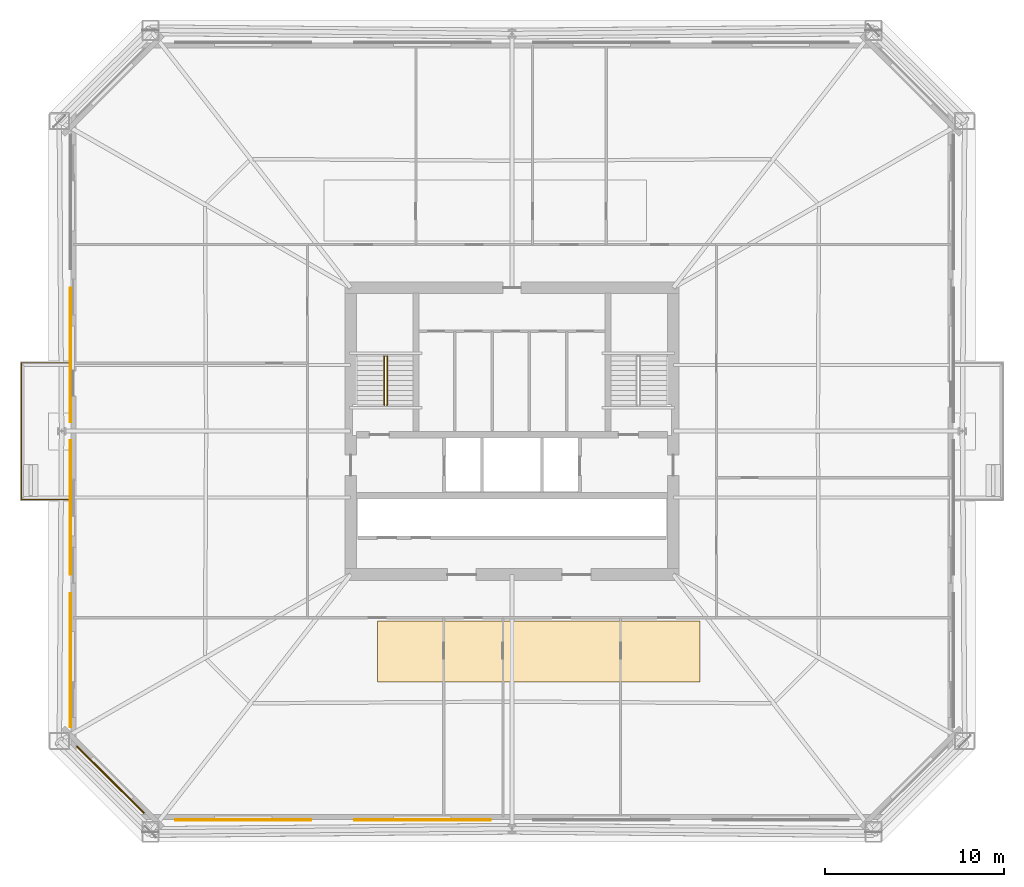
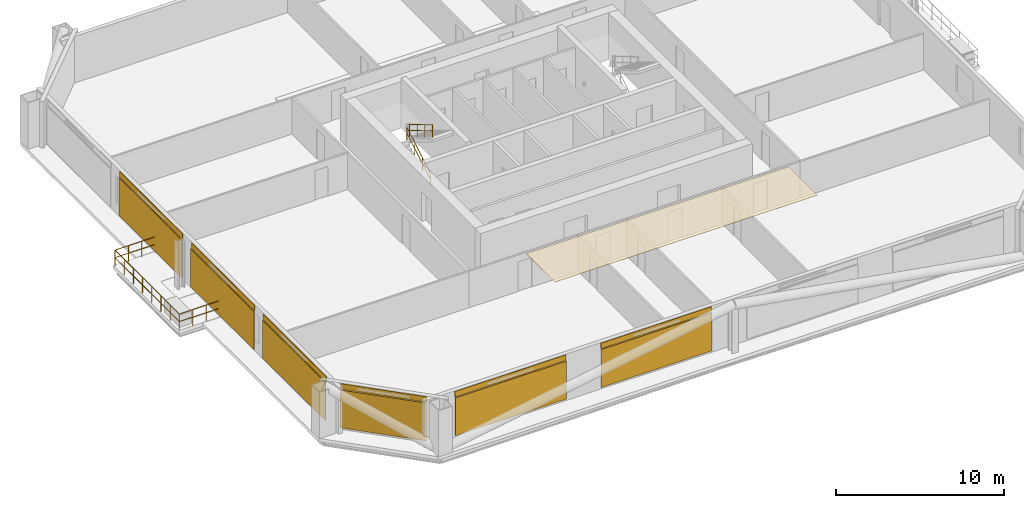
# One storey, part 8 of 10: 7 coverings, 6 shading devices, 3 railings.
"""IFC4 building model written with IfcOpenShell, lengths in metres."""

import ifcopenshell
import ifcopenshell.guid

model = None  # the IFC model being written
_history = None  # IfcOwnerHistory: only IFC2X3 demands one
_inside = {}  # id of a spatial element -> (the spatial element, [elements in it])
_under = {}  # id of a project, library or spatial element -> (it, [spatial elements below it])
_declared = {}  # id of a project -> (the project, [libraries it declares])
_typed = {}  # id of a type object -> (the type object, [elements of that type])
_made_of = {}  # id of a material, layer set ... -> (it, [elements and type objects made of it])


def new_model(schema):
    """Start an empty IFC model of exactly this schema.

    Asked for "IFC4X3", IfcOpenShell would pick the latest addendum, in which some entities
    have other attributes; the version numbers below select the first issue.
    IFC2X3 requires an IfcOwnerHistory on every rooted entity: one is made here for all.
    """
    global model, _history
    if schema == "IFC4X3":
        model = ifcopenshell.file(schema_version=(4, 3, 0, 0))
    else:
        model = ifcopenshell.file(schema=schema)
    _inside.clear()
    _under.clear()
    _declared.clear()
    _typed.clear()
    _made_of.clear()
    _history = None
    if model.schema == "IFC2X3":
        org = make("IfcOrganization", Name="unknown")
        user = make(
            "IfcPersonAndOrganization",
            ThePerson=make("IfcPerson", FamilyName="unknown"),
            TheOrganization=org,
        )
        app = make(
            "IfcApplication",
            ApplicationDeveloper=org,
            Version="unknown",
            ApplicationFullName="unknown",
            ApplicationIdentifier="unknown",
        )
        _history = make(
            "IfcOwnerHistory",
            OwningUser=user,
            OwningApplication=app,
            ChangeAction="ADDED",
            CreationDate=0,
        )
    return model


def make(cls, **values):
    """One entity of the class cls with the attributes given. An attribute that is None is left unset."""
    return model.create_entity(
        cls, **{name: value for name, value in values.items() if value is not None}
    )


def rooted(cls, **values):
    """An entity with a GlobalId (a new one), such as an element, a storey or a relation."""
    return make(cls, GlobalId=ifcopenshell.guid.new(), OwnerHistory=_history, **values)


def si_unit(unit_type, name, prefix=None):
    """IfcSIUnit, for example si_unit("LENGTHUNIT", "METRE", prefix="MILLI")."""
    return make("IfcSIUnit", UnitType=unit_type, Prefix=prefix, Name=name)


def assignment(units):
    """IfcUnitAssignment: the units of a project."""
    return None if units is None else make("IfcUnitAssignment", Units=units)


def point(xyz):
    """IfcCartesianPoint."""
    return None if xyz is None else make("IfcCartesianPoint", Coordinates=xyz)


def direction(xyz):
    """IfcDirection."""
    return None if xyz is None else make("IfcDirection", DirectionRatios=xyz)


def frame(location, z_axis=None, x_axis=None):
    """IfcAxis2Placement3D, a coordinate frame: its origin and axes. An axis left out is left unset."""
    return make(
        "IfcAxis2Placement3D",
        Location=point(location),
        Axis=direction(z_axis),
        RefDirection=direction(x_axis),
    )


def frame_2d(location, x_axis=None):
    """IfcAxis2Placement2D, a coordinate frame in the plane: its origin and x axis."""
    return make(
        "IfcAxis2Placement2D", Location=point(location), RefDirection=direction(x_axis)
    )


def origin():
    """The frame at (0, 0, 0) with its axes left unset."""
    return frame((0.0, 0.0, 0.0))


def origin_2d():
    """The frame at (0, 0) in the plane with its x axis left unset."""
    return frame_2d((0.0, 0.0))


def place(relative_to, where):
    """IfcLocalPlacement: puts the frame where relative to a parent placement (None: the world)."""
    return make(
        "IfcLocalPlacement", PlacementRelTo=relative_to, RelativePlacement=where
    )


def context(
    kind, dimensions, precision=None, world=None, true_north=None, identifier=None
):
    """IfcGeometricRepresentationContext, for example the 3D "Model" context."""
    return make(
        "IfcGeometricRepresentationContext",
        ContextIdentifier=identifier,
        ContextType=kind,
        CoordinateSpaceDimension=dimensions,
        Precision=precision,
        WorldCoordinateSystem=world,
        TrueNorth=true_north,
    )


def subcontext(parent, identifier, kind, view, scale=None):
    """IfcGeometricRepresentationSubContext, for example "Body" below "Model"."""
    return make(
        "IfcGeometricRepresentationSubContext",
        ContextIdentifier=identifier,
        ContextType=kind,
        ParentContext=parent,
        TargetScale=scale,
        TargetView=view,
    )


def project(units=None, contexts=None):
    """IfcProject with its units and contexts."""
    return rooted(
        "IfcProject",
        Name="project",
        RepresentationContexts=contexts,
        UnitsInContext=assignment(units),
    )


def spatial(cls, under=None, at=None, **own):
    """A site, building, storey or space (cls), placed at a placement, below another one or the project."""
    s = rooted(cls, ObjectPlacement=at, **own)
    if under is not None:
        _under.setdefault(under.id(), (under, []))[1].append(s)
    return s


def polyline(points):
    """IfcPolyline through the points."""
    return make("IfcPolyline", Points=[point(p) for p in points])


def profile(cls, at=None, kind="AREA", **sizes):
    """A parametric profile (cls). Its sizes go by their IFC names, for example OverallWidth=200.0."""
    return make(cls, ProfileType=kind, Position=at, **sizes)


def rectangle(**sizes):
    """IfcRectangleProfileDef."""
    return profile("IfcRectangleProfileDef", **sizes)


def circle(**sizes):
    """IfcCircleProfileDef."""
    return profile("IfcCircleProfileDef", **sizes)


def outline(outer, holes=None, kind="AREA"):
    """IfcArbitraryClosedProfileDef: a profile drawn as a closed curve; with holes, ...WithVoids."""
    if holes is None:
        return make("IfcArbitraryClosedProfileDef", ProfileType=kind, OuterCurve=outer)
    return make(
        "IfcArbitraryProfileDefWithVoids",
        ProfileType=kind,
        OuterCurve=outer,
        InnerCurves=holes,
    )


def extrude(swept, where, along, depth):
    """IfcExtrudedAreaSolid: the profile swept, set in the frame where, extruded along a direction by depth."""
    return make(
        "IfcExtrudedAreaSolid",
        SweptArea=swept,
        Position=where,
        ExtrudedDirection=direction(along),
        Depth=depth,
    )


def shape(context_of_items, identifier, shape_type, items):
    """IfcShapeRepresentation: the items that make up one representation, for example the "Body"."""
    return make(
        "IfcShapeRepresentation",
        ContextOfItems=context_of_items,
        RepresentationIdentifier=identifier,
        RepresentationType=shape_type,
        Items=items,
    )


def material(Name=None, Category=None):
    """IfcMaterial."""
    return make("IfcMaterial", Name=Name, Category=Category)


def layer(
    of_material, thickness, ventilated=None, Name=None, Category=None, Priority=None
):
    """IfcMaterialLayer: one layer of a wall or slab, of a material (None: an air gap)."""
    return make(
        "IfcMaterialLayer",
        Material=of_material,
        LayerThickness=thickness,
        IsVentilated=ventilated,
        Name=Name,
        Category=Category,
        Priority=Priority,
    )


def layer_set(layers, Name=None):
    """IfcMaterialLayerSet."""
    return make("IfcMaterialLayerSet", MaterialLayers=layers, LayerSetName=Name)


def made_of(thing, what):
    """Note that an element or type object is made of a material, layer set ...; save() writes the relation."""
    if what is not None:
        _made_of.setdefault(what.id(), (what, []))[1].append(thing)
    return thing


def type_object(cls, material=None, **own):
    """A type object (cls), such as IfcWallType, which elements share."""
    return made_of(rooted(cls, **own), material)


def element(
    cls,
    number,
    at=None,
    inside=None,
    cuts=None,
    type_object=None,
    material=None,
    context=None,
    identifier="Body",
    shape_type=None,
    held_by="IfcProductDefinitionShape",
    body=None,
    shapes=None,
    **own,
):
    """One element of the class cls, such as IfcWall. Its Tag is "e" and its number.

    at: its placement. inside: the storey or other place that contains it. cuts: it is an
    opening in that element (IfcRelVoidsElement). A single representation is given by context,
    identifier, shape_type and body (its items); several are given by shapes. held_by: the class
    of the entity that holds the representations. save() writes the other relations.
    """
    e = rooted(cls, Tag="e%d" % number, ObjectPlacement=at, **own)
    if body is not None:
        shapes = [shape(context, identifier, shape_type, body)]
    if shapes is not None:
        e.Representation = make(held_by, Representations=shapes)
    if inside is not None:
        _inside.setdefault(inside.id(), (inside, []))[1].append(e)
    if cuts is not None:
        rooted(
            "IfcRelVoidsElement", RelatingBuildingElement=cuts, RelatedOpeningElement=e
        )
    if type_object is not None:
        _typed.setdefault(type_object.id(), (type_object, []))[1].append(e)
    return made_of(e, material)


def aggregate(whole, parts):
    """IfcRelAggregates: a whole, such as a stair, and the parts it consists of."""
    return rooted("IfcRelAggregates", RelatingObject=whole, RelatedObjects=parts)


def save(model, path):
    """Write the relations noted so far, then the file.

    IfcRelAggregates (storeys below a building ...), IfcRelContainedInSpatialStructure (elements
    in a storey), IfcRelDefinesByType, IfcRelAssociatesMaterial and IfcRelDeclares: one each for
    every whole, place, type object, material and project.
    """
    for whole, parts in _under.values():
        aggregate(whole, parts)
    for where, things in _inside.values():
        rooted(
            "IfcRelContainedInSpatialStructure",
            RelatedElements=things,
            RelatingStructure=where,
        )
    for kind, things in _typed.values():
        rooted("IfcRelDefinesByType", RelatedObjects=things, RelatingType=kind)
    for what, things in _made_of.values():
        rooted("IfcRelAssociatesMaterial", RelatedObjects=things, RelatingMaterial=what)
    for by, libraries in _declared.values():
        rooted("IfcRelDeclares", RelatingContext=by, RelatedDefinitions=libraries)
    model.write(path)


model = new_model("IFC4")

# Units and contexts
model_context = context("Model", 3, precision=1e-05, world=origin(), true_north=direction((0.0, 1.0)))
body_context = subcontext(model_context, "Body", "Model", "MODEL_VIEW")
ifc_project = project(units=[si_unit("LENGTHUNIT", "METRE"), si_unit("AREAUNIT", "SQUARE_METRE"), si_unit("VOLUMEUNIT", "CUBIC_METRE"), si_unit("PLANEANGLEUNIT", "RADIAN"), si_unit("MASSUNIT", "GRAM", prefix="KILO")], contexts=[model_context])

# Site, building, storey
site_placement = place(None, origin())
site = spatial("IfcSite", under=ifc_project, at=site_placement, CompositionType="ELEMENT")
building_placement = place(site_placement, origin())
building = spatial("IfcBuilding", under=site, at=building_placement, Name="Caelvoria Tower", CompositionType="ELEMENT")
storey_placement = place(building_placement, frame((0.0, 0.0, 60.39990234375)))
storey = spatial("IfcBuildingStorey", under=building, at=storey_placement, Name="L15", CompositionType="ELEMENT", Elevation=60.39990234375)

# Railing
ifc_material_1 = material(Name="Bronze Anodised Aluminium and Stainless Steel", Category="steel")
railing_type_1 = type_object("IfcRailingType", Name="Exterior Terrace and Balcony Guardrail 1150", PredefinedType="GUARDRAIL", material=ifc_material_1)
railing_1_placement = place(storey_placement, frame((21.389892578125, 28.179931640625, 0.0)))
element("IfcRailing", 1, at=railing_1_placement, inside=storey, type_object=railing_type_1, Name="Tree Balcony Guardrail TB-L15-W", PredefinedType="GUARDRAIL", context=body_context, shape_type="SweptSolid", body=[
    extrude(circle(Radius=0.02392578125, at=origin_2d()), frame((0.0, 0.0, 1.1259765625), z_axis=(-1.0, 0.0, 0.0), x_axis=(0.0, -1.0, 0.0)), (0.0, 0.0, 1.0), 2.760009765625),
    extrude(circle(Radius=0.02392578125, at=origin_2d()), frame((0.0, 0.0, 0.574951171875), z_axis=(-1.0, 0.0, 0.0), x_axis=(0.0, -1.0, 0.0)), (0.0, 0.0, 1.0), 2.760009765625),
    extrude(circle(Radius=0.02392578125, at=origin_2d()), frame((-2.760009765625, 0.0, 1.1259765625), z_axis=(0.0, 1.0, 0.0), x_axis=(-1.0, 0.0, 0.0)), (0.0, 0.0, 1.0), 7.64013671875),
    extrude(circle(Radius=0.02392578125, at=origin_2d()), frame((-2.760009765625, 0.0, 0.574951171875), z_axis=(0.0, 1.0, 0.0), x_axis=(-1.0, 0.0, 0.0)), (0.0, 0.0, 1.0), 7.64013671875),
    extrude(circle(Radius=0.02392578125, at=origin_2d()), frame((-2.760009765625, 7.64013671875, 1.1259765625), z_axis=(1.0, 0.0, 0.0), x_axis=(0.0, 1.0, 0.0)), (0.0, 0.0, 1.0), 2.760009765625),
    extrude(circle(Radius=0.02392578125, at=origin_2d()), frame((-2.760009765625, 7.64013671875, 0.574951171875), z_axis=(1.0, 0.0, 0.0), x_axis=(0.0, 1.0, 0.0)), (0.0, 0.0, 1.0), 2.760009765625),
    extrude(circle(Radius=0.02099609375, at=origin_2d()), origin(), (0.0, 0.0, 1.0), 1.101806640625),
    extrude(circle(Radius=0.02099609375, at=origin_2d()), frame((-0.919921875, 0.0, 0.0)), (0.0, 0.0, 1.0), 1.101806640625),
    extrude(circle(Radius=0.02099609375, at=origin_2d()), frame((-1.840087890625, 0.0, 0.0)), (0.0, 0.0, 1.0), 1.101806640625),
    extrude(circle(Radius=0.02099609375, at=origin_2d()), frame((-2.760009765625, 0.0, 0.0)), (0.0, 0.0, 1.0), 1.101806640625),
    extrude(circle(Radius=0.02099609375, at=origin_2d()), frame((-2.760009765625, 1.091552734375, 0.0)), (0.0, 0.0, 1.0), 1.101806640625),
    extrude(circle(Radius=0.02099609375, at=origin_2d()), frame((-2.760009765625, 2.182861328125, 0.0)), (0.0, 0.0, 1.0), 1.101806640625),
    extrude(circle(Radius=0.02099609375, at=origin_2d()), frame((-2.760009765625, 3.2744140625, 0.0)), (0.0, 0.0, 1.0), 1.101806640625),
    extrude(circle(Radius=0.02099609375, at=origin_2d()), frame((-2.760009765625, 4.36572265625, 0.0)), (0.0, 0.0, 1.0), 1.101806640625),
    extrude(circle(Radius=0.02099609375, at=origin_2d()), frame((-2.760009765625, 5.457275390625, 0.0)), (0.0, 0.0, 1.0), 1.101806640625),
    extrude(circle(Radius=0.02099609375, at=origin_2d()), frame((-2.760009765625, 6.548583984375, 0.0)), (0.0, 0.0, 1.0), 1.101806640625),
    extrude(circle(Radius=0.02099609375, at=origin_2d()), frame((-2.760009765625, 7.64013671875, 0.0)), (0.0, 0.0, 1.0), 1.101806640625),
    extrude(circle(Radius=0.02099609375, at=origin_2d()), frame((-1.840087890625, 7.64013671875, 0.0)), (0.0, 0.0, 1.0), 1.101806640625),
    extrude(circle(Radius=0.02099609375, at=origin_2d()), frame((-0.919921875, 7.64013671875, 0.0)), (0.0, 0.0, 1.0), 1.101806640625),
    extrude(circle(Radius=0.02099609375, at=origin_2d()), frame((0.0, 7.64013671875, 0.0)), (0.0, 0.0, 1.0), 1.101806640625),
])

# Coverings
ifc_material_2 = material(Name="Acoustic Mineral Fibre Tile", Category="gypsum")
ifc_layer_1 = layer(ifc_material_2, 0.02490234375, Name="Acoustic Mineral Fibre Tile")
ifc_layer_set_1 = layer_set([ifc_layer_1], Name="Mineral-Fibre Acoustic Suspended Ceiling 25 - Acoustic Mineral Fibre Tile")
covering_type_1 = type_object("IfcCoveringType", Name="Mineral-Fibre Acoustic Suspended Ceiling 25", PredefinedType="CEILING", material=ifc_layer_set_1)
covering_1_placement = place(storey_placement, frame((0.0, 0.0, 2.635009765625)))
element("IfcCovering", 2, at=covering_1_placement, inside=storey, type_object=covering_type_1, Name="Suspended Acoustic Ceiling L15", PredefinedType="CEILING", context=body_context, shape_type="SweptSolid", body=[
    extrude(outline(polyline([(38.5, 18.0), (56.5, 18.0), (56.5, 21.39990234375), (38.5, 21.39990234375), (38.5, 18.0)])), origin(), (0.0, 0.0, 1.0), 0.025146484375),
])
ifc_material_3 = material(Name="Perforated Architectural Bronze Cladding Screen", Category="bronze")
ifc_layer_2 = layer(ifc_material_3, 0.0400390625, Name="Perforated Architectural Bronze Cladding Screen")
ifc_layer_set_2 = layer_set([ifc_layer_2], Name="Perforated Bronze Louvre Cladding Band 40 - Perforated Architectural Bronze Cladding Screen")
covering_type_2 = type_object("IfcCoveringType", Name="Perforated Bronze Louvre Cladding Band 40", PredefinedType="CLADDING", material=ifc_layer_set_2)
for number, where, z_axis, x_axis, name in (
    (3, (31.007568359375, 10.327880859375, 2.940185546875), (0.0, 0.0, 1.0), (1.0, 0.0, 0.0), "Perforated Bronze Screen Band L15-E0-00"),
    (4, (41.00244140625, 10.327880859375, 2.940185546875), (0.0, 0.0, 1.0), (1.0, 0.0, 0.0), "Perforated Bronze Screen Band L15-E0-01"),
):
    element("IfcCovering", number, at=place(storey_placement, frame(where, z_axis=z_axis, x_axis=x_axis)), inside=storey, type_object=covering_type_2, Name=name, PredefinedType="CLADDING", context=body_context, shape_type="SweptSolid", body=[
        extrude(rectangle(XDim=7.60009765625, YDim=0.0400390625, at=origin_2d()), origin(), (0.0, 0.0, 1.0), 0.39990234375),
    ])
for number, where, z_axis, x_axis, name in (
    (5, (21.3779296875, 36.260009765625, 2.940185546875), (0.0, 0.0, 1.0), (0.0, -1.0, 0.0), "Perforated Bronze Screen Band L15-E6-01"),
    (6, (21.3779296875, 27.739990234375, 2.940185546875), (0.0, 0.0, 1.0), (0.0, -1.0, 0.0), "Perforated Bronze Screen Band L15-E6-02"),
    (7, (21.3779296875, 19.219970703125, 2.940185546875), (0.0, 0.0, 1.0), (0.0, -1.0, 0.0), "Perforated Bronze Screen Band L15-E6-03"),
):
    element("IfcCovering", number, at=place(storey_placement, frame(where, z_axis=z_axis, x_axis=x_axis)), inside=storey, type_object=covering_type_2, Name=name, PredefinedType="CLADDING", context=body_context, shape_type="SweptSolid", body=[
        extrude(rectangle(XDim=7.49755859375, YDim=0.0400390625, at=origin_2d()), origin(), (0.0, 0.0, 1.0), 0.39990234375),
    ])
covering_2_placement = place(storey_placement, frame((23.618408203125, 12.568359375, 2.940185546875), z_axis=(0.0, 0.0, 1.0), x_axis=(0.707106781187, -0.707106781187, 0.0)))
element("IfcCovering", 8, at=covering_2_placement, inside=storey, type_object=covering_type_2, Name="Perforated Bronze Screen Band L15-E7-00", PredefinedType="CLADDING", context=body_context, shape_type="SweptSolid", body=[
    extrude(rectangle(XDim=5.309814453125, YDim=0.0400390625, at=origin_2d()), origin(), (0.0, 0.0, 1.0), 0.39990234375),
])

# Shading devices
ifc_material_4 = material(Name="Perforated Architectural Bronze Alloy Panel", Category="bronze")
ifc_layer_3 = layer(ifc_material_4, 0.044921875, Name="Perforated Architectural Bronze Alloy Panel")
ifc_layer_set_3 = layer_set([ifc_layer_3], Name="Perforated Bronze Solar Screen Panel SCREEN - Perforated Architectural Bronze Alloy Panel")
shading_device_type = type_object("IfcShadingDeviceType", Name="Perforated Bronze Solar Screen Panel SCREEN", PredefinedType="USERDEFINED", material=ifc_layer_set_3)
for number, where, z_axis, x_axis, name in (
    (9, (31.007568359375, 10.284912109375, 0.16015625), (0.0, 0.0, 1.0), (1.0, 0.0, 0.0), "Perforated Bronze Solar Screen L15-E0-00"),
    (10, (41.00244140625, 10.284912109375, 0.16015625), (0.0, 0.0, 1.0), (1.0, 0.0, 0.0), "Perforated Bronze Solar Screen L15-E0-01"),
):
    element("IfcShadingDevice", number, at=place(storey_placement, frame(where, z_axis=z_axis, x_axis=x_axis)), inside=storey, type_object=shading_device_type, Name=name, ObjectType="SCREEN", PredefinedType="USERDEFINED", context=body_context, shape_type="SweptSolid", body=[
        extrude(rectangle(XDim=7.60009765625, YDim=0.044921875, at=origin_2d()), origin(), (0.0, 0.0, 1.0), 2.75),
    ])
for number, where, z_axis, x_axis, name in (
    (11, (21.3349609375, 36.260009765625, 0.16015625), (0.0, 0.0, 1.0), (0.0, -1.0, 0.0), "Perforated Bronze Solar Screen L15-E6-01"),
    (12, (21.3349609375, 27.739990234375, 0.16015625), (0.0, 0.0, 1.0), (0.0, -1.0, 0.0), "Perforated Bronze Solar Screen L15-E6-02"),
    (13, (21.3349609375, 19.219970703125, 0.16015625), (0.0, 0.0, 1.0), (0.0, -1.0, 0.0), "Perforated Bronze Solar Screen L15-E6-03"),
):
    element("IfcShadingDevice", number, at=place(storey_placement, frame(where, z_axis=z_axis, x_axis=x_axis)), inside=storey, type_object=shading_device_type, Name=name, ObjectType="SCREEN", PredefinedType="USERDEFINED", context=body_context, shape_type="SweptSolid", body=[
        extrude(rectangle(XDim=7.49755859375, YDim=0.044921875, at=origin_2d()), origin(), (0.0, 0.0, 1.0), 2.75),
    ])
shading_device_placement = place(storey_placement, frame((23.587890625, 12.537841796875, 0.16015625), z_axis=(0.0, 0.0, 1.0), x_axis=(0.707106781187, -0.707106781187, 0.0)))
element("IfcShadingDevice", 14, at=shading_device_placement, inside=storey, type_object=shading_device_type, Name="Perforated Bronze Solar Screen L15-E7-00", ObjectType="SCREEN", PredefinedType="USERDEFINED", context=body_context, shape_type="SweptSolid", body=[
    extrude(rectangle(XDim=5.309814453125, YDim=0.044921875, at=origin_2d()), origin(), (0.0, 0.0, 1.0), 2.75),
])

# Railings
ifc_material_5 = material(Name="Brushed Stainless Steel Tube", Category="steel")
railing_type_2 = type_object("IfcRailingType", Name="Stair Tubular Stainless Handrail 920", PredefinedType="HANDRAIL", material=ifc_material_5)
railing_2_placement = place(storey_placement, frame((38.8701171875, 33.449951171875, 0.163818359375)))
element("IfcRailing", 15, at=railing_2_placement, inside=storey, type_object=railing_type_2, Name="ST-01 Flight 1 Handrail L15", PredefinedType="HANDRAIL", context=body_context, shape_type="SweptSolid", body=[
    extrude(circle(Radius=0.02392578125, at=origin_2d()), frame((0.0, 0.0, 0.89599609375), z_axis=(0.0, 0.859385484447, 0.511328259656), x_axis=(-1.0, 0.0, 0.0)), (0.0, 0.0, 1.0), 3.199951171875),
    extrude(circle(Radius=0.02392578125, at=origin_2d()), frame((0.0, 0.0, 0.4599609375), z_axis=(0.0, 0.859385484447, 0.511328259656), x_axis=(-1.0, 0.0, 0.0)), (0.0, 0.0, 1.0), 3.199951171875),
    extrude(circle(Radius=0.02099609375, at=origin_2d()), origin(), (0.0, 0.0, 1.0), 0.871826171875),
    extrude(circle(Radius=0.02099609375, at=origin_2d()), frame((0.0, 0.916748046875, 0.54541015625)), (0.0, 0.0, 1.0), 0.871826171875),
    extrude(circle(Radius=0.02099609375, at=origin_2d()), frame((0.0, 1.833251953125, 1.0908203125)), (0.0, 0.0, 1.0), 0.871826171875),
    extrude(circle(Radius=0.02099609375, at=origin_2d()), frame((0.0, 2.75, 1.63623046875)), (0.0, 0.0, 1.0), 0.871826171875),
])
railing_3_placement = place(storey_placement, frame((39.030029296875, 36.199951171875, 1.963623046875)))
element("IfcRailing", 16, at=railing_3_placement, inside=storey, type_object=railing_type_2, Name="ST-01 Flight 2 Handrail L15", PredefinedType="HANDRAIL", context=body_context, shape_type="SweptSolid", body=[
    extrude(circle(Radius=0.02392578125, at=origin_2d()), frame((0.0, 0.0, 0.89599609375), z_axis=(0.0, -0.859351957796, 0.511384603436), x_axis=(1.0, 0.0, 0.0)), (0.0, 0.0, 1.0), 3.2001953125),
    extrude(circle(Radius=0.02392578125, at=origin_2d()), frame((0.0, 0.0, 0.4599609375), z_axis=(0.0, -0.859351957796, 0.511384603436), x_axis=(1.0, 0.0, 0.0)), (0.0, 0.0, 1.0), 3.2001953125),
    extrude(circle(Radius=0.02099609375, at=origin_2d()), origin(), (0.0, 0.0, 1.0), 0.871826171875),
    extrude(circle(Radius=0.02099609375, at=origin_2d()), frame((0.0, -0.916748046875, 0.54541015625)), (0.0, 0.0, 1.0), 0.871826171875),
    extrude(circle(Radius=0.02099609375, at=origin_2d()), frame((0.0, -1.833251953125, 1.091064453125)), (0.0, 0.0, 1.0), 0.871826171875),
    extrude(circle(Radius=0.02099609375, at=origin_2d()), frame((0.0, -2.75, 1.636474609375)), (0.0, 0.0, 1.0), 0.871826171875),
])

save(model, "model.ifc")
